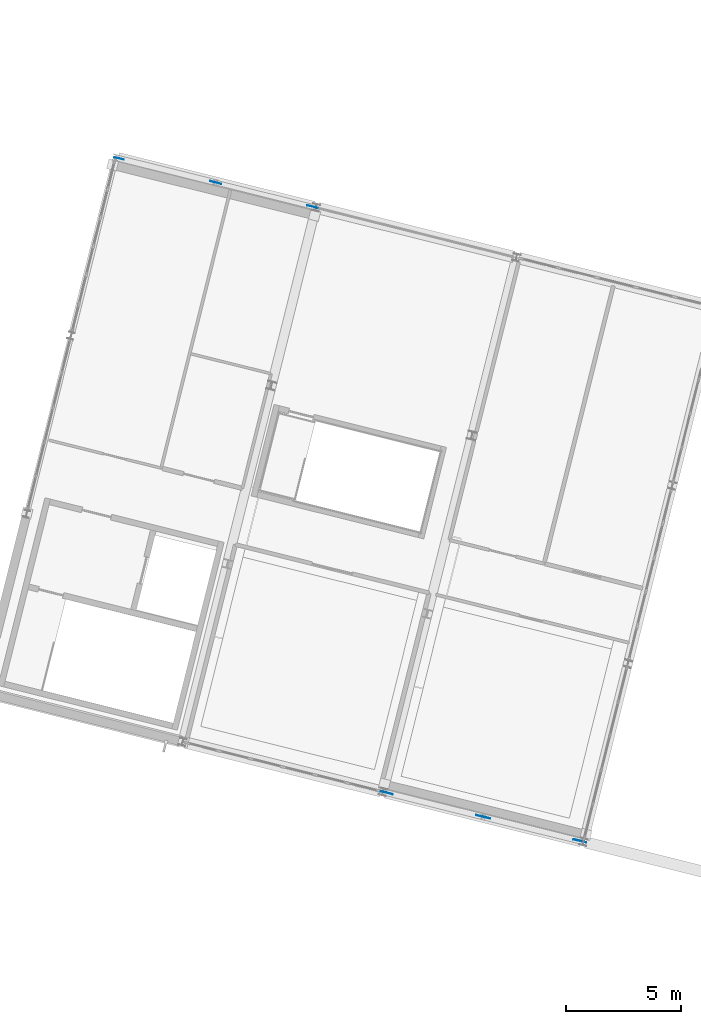
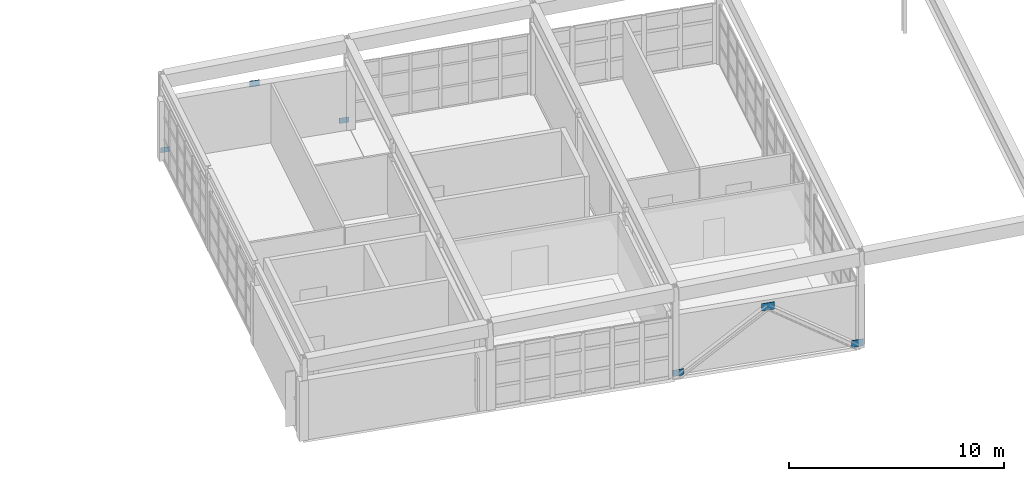
# One storey, part 23 of 27: 6 plates.
"""IFC4 building model written with IfcOpenShell, lengths in metres."""

from ifc_helpers import new_model, si_unit, direction, frame, origin, origin_2d, place, context, subcontext, project, spatial, rectangle, extrude, material, layer, layer_set, type_object, element, save


model = new_model("IFC4")

# Units and contexts
model_context = context("Model", 3, precision=1e-05, world=origin(), true_north=direction((0.0, 1.0)))
body_context = subcontext(model_context, "Body", "Model", "MODEL_VIEW")
ifc_project = project(units=[si_unit("LENGTHUNIT", "METRE"), si_unit("AREAUNIT", "SQUARE_METRE"), si_unit("VOLUMEUNIT", "CUBIC_METRE"), si_unit("PLANEANGLEUNIT", "RADIAN"), si_unit("MASSUNIT", "GRAM", prefix="KILO")], contexts=[model_context])

# Site, building, storey
site_placement = place(None, origin())
site = spatial("IfcSite", under=ifc_project, at=site_placement, CompositionType="ELEMENT")
building_placement = place(site_placement, origin())
building = spatial("IfcBuilding", under=site, at=building_placement, Name="Vireo Bluff Cable Station", CompositionType="ELEMENT")
storey_placement = place(building_placement, frame((0.0, 0.0, 19.199951171875)))
storey = spatial("IfcBuildingStorey", under=building, at=storey_placement, Name="L04", CompositionType="ELEMENT", Elevation=19.199951171875)

# Plates
ifc_material = material(Name="Steel ASTM A572 Gr. 50", Category="steel")
ifc_layer_1 = layer(ifc_material, 0.01611328125, Name="Steel ASTM A572 Gr. 50")
ifc_layer_set_1 = layer_set([ifc_layer_1], Name="Steel ASTM A572 Gr. 50")
plate_type_1 = type_object("IfcPlateType", Name="GUSSET-420X280X16", PredefinedType="USERDEFINED", material=ifc_layer_set_1)
plate_1_placement = place(storey_placement, frame((59.96142578125, 61.248291015625, 0.080078125), z_axis=(0.0, 0.0, 1.0), x_axis=(0.970295726276, -0.2419218956, 0.0)))
element("IfcPlate", 1, at=plate_1_placement, inside=storey, type_object=plate_type_1, Name="V1 L04 brace base gusset plate 60", ObjectType="GUSSET PLATE", PredefinedType="USERDEFINED", context=body_context, shape_type="SweptSolid", body=[
    extrude(rectangle(XDim=0.419921875, YDim=0.01611328125, at=origin_2d()), origin(), (0.0, 0.0, 1.0), 0.280029296875),
])
ifc_layer_2 = layer(ifc_material, 0.01806640625, Name="Steel ASTM A572 Gr. 50")
ifc_layer_set_2 = layer_set([ifc_layer_2], Name="Steel ASTM A572 Gr. 50")
plate_type_2 = type_object("IfcPlateType", Name="GUSSET-460X300X18", PredefinedType="USERDEFINED", material=ifc_layer_set_2)
plate_2_placement = place(storey_placement, frame((68.383544921875, 59.1484375, 0.06982421875), z_axis=(0.0, 0.0, 1.0), x_axis=(0.970295726276, -0.2419218956, 0.0)))
element("IfcPlate", 2, at=plate_2_placement, inside=storey, type_object=plate_type_2, Name="V1 L04 brace base gusset plate 61", ObjectType="GUSSET PLATE", PredefinedType="USERDEFINED", context=body_context, shape_type="SweptSolid", body=[
    extrude(rectangle(XDim=0.4599609375, YDim=0.01806640625, at=origin_2d()), origin(), (0.0, 0.0, 1.0), 0.300048828125),
])
ifc_layer_3 = layer(ifc_material, 0.02001953125, Name="Steel ASTM A572 Gr. 50")
ifc_layer_set_3 = layer_set([ifc_layer_3], Name="Steel ASTM A572 Gr. 50")
plate_type_3 = type_object("IfcPlateType", Name="GUSSET-500X340X20", PredefinedType="USERDEFINED", material=ifc_layer_set_3)
plate_3_placement = place(storey_placement, frame((64.17236328125, 60.198486328125, 2.97998046875), z_axis=(0.0, 0.0, 1.0), x_axis=(0.970295726276, -0.2419218956, 0.0)))
element("IfcPlate", 3, at=plate_3_placement, inside=storey, type_object=plate_type_3, Name="V1 L04 chevron gusset plate 62", ObjectType="GUSSET PLATE", PredefinedType="USERDEFINED", context=body_context, shape_type="SweptSolid", body=[
    extrude(rectangle(XDim=0.5, YDim=0.02001953125, at=origin_2d()), origin(), (0.0, 0.0, 1.0), 0.340087890625),
])
ifc_layer_4 = layer(ifc_material, 0.02197265625, Name="Steel ASTM A572 Gr. 50")
ifc_layer_set_4 = layer_set([ifc_layer_4], Name="Steel ASTM A572 Gr. 50")
plate_type_4 = type_object("IfcPlateType", Name="GUSSET-540X360X22", PredefinedType="USERDEFINED", material=ifc_layer_set_4)
plate_4_placement = place(storey_placement, frame((71.62060546875, 33.606689453125, 0.0400390625), z_axis=(0.0, 0.0, 1.0), x_axis=(0.970295726276, -0.2419218956, 0.0)))
element("IfcPlate", 4, at=plate_4_placement, inside=storey, type_object=plate_type_4, Name="V1 L04 brace base gusset plate 63", ObjectType="GUSSET PLATE", PredefinedType="USERDEFINED", context=body_context, shape_type="SweptSolid", body=[
    extrude(rectangle(XDim=0.5400390625, YDim=0.02197265625, at=origin_2d()), origin(), (0.0, 0.0, 1.0), 0.360107421875),
])
ifc_layer_5 = layer(ifc_material, 0.02392578125, Name="Steel ASTM A572 Gr. 50")
ifc_layer_set_5 = layer_set([ifc_layer_5], Name="Steel ASTM A572 Gr. 50")
plate_type_5 = type_object("IfcPlateType", Name="GUSSET-580X400X24", PredefinedType="USERDEFINED", material=ifc_layer_set_5)
plate_5_placement = place(storey_placement, frame((80.042724609375, 31.5068359375, 0.02001953125), z_axis=(0.0, 0.0, 1.0), x_axis=(0.970295726276, -0.2419218956, 0.0)))
element("IfcPlate", 5, at=plate_5_placement, inside=storey, type_object=plate_type_5, Name="V1 L04 brace base gusset plate 64", ObjectType="GUSSET PLATE", PredefinedType="USERDEFINED", context=body_context, shape_type="SweptSolid", body=[
    extrude(rectangle(XDim=0.580078125, YDim=0.02392578125, at=origin_2d()), origin(), (0.0, 0.0, 1.0), 0.39990234375),
])
ifc_layer_6 = layer(ifc_material, 0.02490234375, Name="Steel ASTM A572 Gr. 50")
ifc_layer_set_6 = layer_set([ifc_layer_6], Name="Steel ASTM A572 Gr. 50")
plate_type_6 = type_object("IfcPlateType", Name="GUSSET-620X420X25", PredefinedType="USERDEFINED", material=ifc_layer_set_6)
plate_6_placement = place(storey_placement, frame((75.83154296875, 32.556640625, 2.940185546875), z_axis=(0.0, 0.0, 1.0), x_axis=(0.970295726276, -0.2419218956, 0.0)))
element("IfcPlate", 6, at=plate_6_placement, inside=storey, type_object=plate_type_6, Name="V1 L04 chevron gusset plate 65", ObjectType="GUSSET PLATE", PredefinedType="USERDEFINED", context=body_context, shape_type="SweptSolid", body=[
    extrude(rectangle(XDim=0.6201171875, YDim=0.02490234375, at=origin_2d()), origin(), (0.0, 0.0, 1.0), 0.419921875),
])

save(model, "model.ifc")
